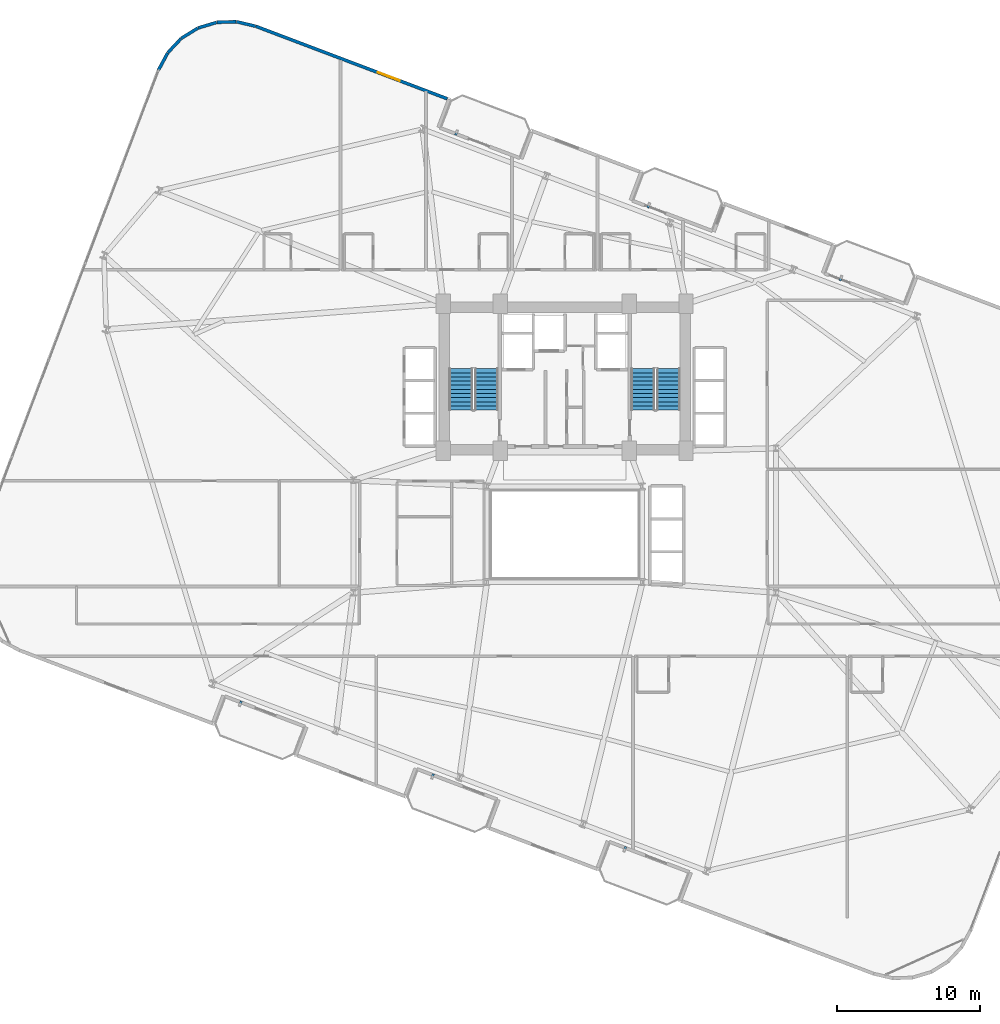
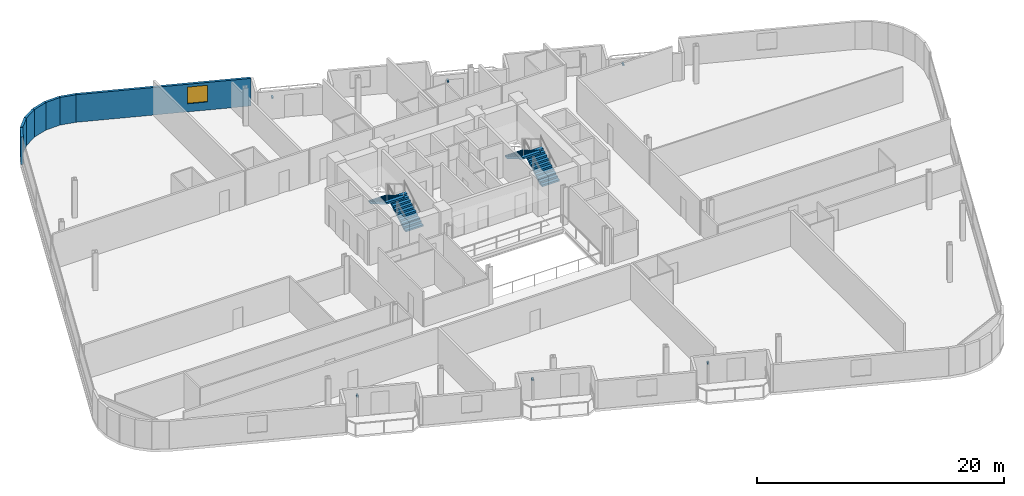
# One storey, part 22 of 25: 7 walls, 6 discrete accessories, 4 stair flights, 1 window, 1 opening, 2 elements without a shape of their own.
"""IFC4 building model written with IfcOpenShell, lengths in metres."""

from ifc_helpers import new_model, si_unit, direction, frame, frame_2d, origin, origin_2d, place, context, subcontext, project, spatial, polyline, rectangle, outline, extrude, source, transform, mapped, material, layer, layer_set, type_object, element, fill, aggregate, save


model = new_model("IFC4")

# Units and contexts
model_context = context("Model", 3, precision=1e-05, world=origin(), true_north=direction((0.0, 1.0)))
body_context = subcontext(model_context, "Body", "Model", "MODEL_VIEW")
ifc_project = project(units=[si_unit("LENGTHUNIT", "METRE"), si_unit("AREAUNIT", "SQUARE_METRE"), si_unit("VOLUMEUNIT", "CUBIC_METRE"), si_unit("PLANEANGLEUNIT", "RADIAN"), si_unit("MASSUNIT", "GRAM", prefix="KILO")], contexts=[model_context])

# Site, building, storey
site_placement = place(None, origin())
site = spatial("IfcSite", under=ifc_project, at=site_placement, CompositionType="ELEMENT")
building_placement = place(site_placement, origin())
building = spatial("IfcBuilding", under=site, at=building_placement, Name="Varnelok Gate Tower", CompositionType="ELEMENT")
storey_placement = place(building_placement, frame((0.0, 0.0, 91.0)))
storey = spatial("IfcBuildingStorey", under=building, at=storey_placement, Name="L22", CompositionType="ELEMENT", Elevation=91.0)

# Wall, opening, window
ifc_material_1 = material(Name="Concrete C45/55", Category="concrete")
ifc_layer = layer(ifc_material_1, 0.219970703125)
ifc_layer_set = layer_set([ifc_layer], Name="Concrete C45/55")
wall_type = type_object("IfcWallType", Name="EW-BALC-220", PredefinedType="SOLIDWALL", material=ifc_layer_set)
wall_1_placement = place(storey_placement, frame((30.97607421875, 53.412841796875, 0.0), z_axis=(0.0, 0.0, 1.0), x_axis=(-0.935220327379, 0.354066292178, 0.0)))
wall_1 = element("IfcWall", 1, at=wall_1_placement, inside=storey, type_object=wall_type, Name="L22 Perimeter Facade Closure Wall 38", PredefinedType="SOLIDWALL", context=body_context, shape_type="SweptSolid", body=[
    extrude(rectangle(XDim=14.34716796875, YDim=0.219970703125, at=frame_2d((7.173583984375, 0.0))), origin(), (0.0, 0.0, 1.0), 2.72998046875),
])
opening_placement = place(wall_1_placement, frame((3.55517578125, 0.0, 0.800048828125)))
opening = element("IfcOpeningElement", 2, at=opening_placement, cuts=wall_1, Name="Opening WN3", PredefinedType="OPENING", context=body_context, shape_type="SweptSolid", body=[
    extrude(rectangle(XDim=1.64990234375, YDim=1.64990234375, at=frame_2d((0.824951171875, 0.824951171875))), frame((0.0, 0.119873046875, 0.0), z_axis=(0.0, -1.0, 0.0), x_axis=(1.0, 0.0, 0.0)), (0.0, 0.0, 1.0), 0.239990234375),
])
ifc_material_2 = material(Name="Low-E Laminated Double Glazing IGU", Category="glass")
window_type = type_object("IfcWindowType", Name="WN-HTL-1650", PartitioningType="SINGLE_PANEL", PredefinedType="WINDOW", material=ifc_material_2)
window_placement = place(opening_placement, origin())
window = element("IfcWindow", 3, at=window_placement, inside=storey, type_object=window_type, Name="L22 Perimeter Vision Window 38", OverallHeight=1.64990234375, OverallWidth=1.64990234375, PartitioningType="SINGLE_PANEL", PredefinedType="WINDOW", context=body_context, shape_type="SweptSolid", body=[
    extrude(rectangle(XDim=1.64990234375, YDim=1.64990234375, at=frame_2d((0.824951171875, 0.824951171875))), frame((0.0, 0.030029296875, 0.0), z_axis=(0.0, -1.0, 0.0), x_axis=(1.0, 0.0, 0.0)), (0.0, 0.0, 1.0), 0.06005859375),
])
fill(opening, window)

# Walls
wall_2_placement = place(storey_placement, frame((17.533935546875, 58.498291015625, 0.0), z_axis=(0.0, 0.0, 1.0), x_axis=(-0.973414815952, 0.229049331117, 0.0)))
element("IfcWall", 4, at=wall_2_placement, inside=storey, type_object=wall_type, Name="L22 Perimeter Facade Closure Wall 39", PredefinedType="SOLIDWALL", context=body_context, shape_type="SweptSolid", body=[
    extrude(rectangle(XDim=1.361083984375, YDim=0.219970703125, at=frame_2d((0.6806640625, 0.0))), origin(), (0.0, 0.0, 1.0), 2.72998046875),
])
wall_3_placement = place(storey_placement, frame((16.18408203125, 58.809326171875, 0.0), z_axis=(0.0, 0.0, 1.0), x_axis=(-0.999523971993, -0.03085173271, 0.0)))
element("IfcWall", 5, at=wall_3_placement, inside=storey, type_object=wall_type, Name="L22 Perimeter Facade Closure Wall 40", PredefinedType="SOLIDWALL", context=body_context, shape_type="SweptSolid", body=[
    extrude(rectangle(XDim=1.353271484375, YDim=0.219970703125, at=frame_2d((0.6767578125, 0.0))), origin(), (0.0, 0.0, 1.0), 2.72998046875),
])
for number, where, z_axis, x_axis, name in (
    (6, (14.8076171875, 58.76025390625, 0.0), (0.0, 0.0, 1.0), (-0.957532798303, -0.28832436625, 0.0), "L22 Perimeter Facade Closure Wall 41"),
    (7, (13.49072265625, 58.35693359375, 0.0), (0.0, 0.0, 1.0), (-0.850261301096, -0.526360826676, 0.0), "L22 Perimeter Facade Closure Wall 42"),
    (8, (12.3232421875, 57.62646484375, 0.0), (0.0, 0.0, 1.0), (-0.684936830459, -0.728602455583, 0.0), "L22 Perimeter Facade Closure Wall 43"),
    (9, (11.384521484375, 56.61865234375, 0.0), (0.0, 0.0, 1.0), (-0.473077364598, -0.881020889142, 0.0), "L22 Perimeter Facade Closure Wall 44"),
):
    element("IfcWall", number, at=place(storey_placement, frame(where, z_axis=z_axis, x_axis=x_axis)), inside=storey, type_object=wall_type, Name=name, PredefinedType="SOLIDWALL", context=body_context, shape_type="SweptSolid", body=[
        extrude(rectangle(XDim=1.35302734375, YDim=0.219970703125, at=frame_2d((0.676513671875, 0.0))), origin(), (0.0, 0.0, 1.0), 2.72998046875),
    ])

# Stair, stair flights
ifc_material_3 = material(Name="Concrete C50/60", Category="concrete")
stair_type = type_object("IfcStairType", Name="STR-CORE-1650", PredefinedType="HALF_TURN_STAIR", material=ifc_material_3)
stair_1_placement = place(storey_placement, origin())
stair_1 = element("IfcStair", 10, at=stair_1_placement, inside=storey, type_object=stair_type, Name="L22 Exit Stair ST-1", PredefinedType="HALF_TURN_STAIR")
stair_flight_type = type_object("IfcStairFlightType", Name="SFL-CORE-1650", PredefinedType="STRAIGHT", material=ifc_material_3)
stair_flight_1_placement = place(storey_placement, frame((33.72509765625, 31.60009765625, 0.0), z_axis=(0.0, 0.0, 1.0), x_axis=(0.0, 1.0, 0.0)))
stair_flight_1 = element("IfcStairFlight", 11, at=stair_flight_1_placement, type_object=stair_flight_type, Name="ST-1 flight 1", NumberOfRisers=11, NumberOfTreads=10, PredefinedType="STRAIGHT", RiserHeight=0.168181818, TreadLength=0.29, context=body_context, shape_type="SweptSolid", body=[
    extrude(outline(polyline([(0.0, 0.0), (0.0, 0.168212890625), (0.2900390625, 0.168212890625), (0.2900390625, 0.33642578125), (0.580078125, 0.33642578125), (0.580078125, 0.504638671875), (0.8701171875, 0.504638671875), (0.8701171875, 0.672607421875), (1.159912109375, 0.672607421875), (1.159912109375, 0.8408203125), (1.449951171875, 0.8408203125), (1.449951171875, 1.009033203125), (1.739990234375, 1.009033203125), (1.739990234375, 1.17724609375), (2.030029296875, 1.17724609375), (2.030029296875, 1.345458984375), (2.320068359375, 1.345458984375), (2.320068359375, 1.513671875), (2.610107421875, 1.513671875), (2.610107421875, 1.681884765625), (2.89990234375, 1.681884765625), (2.89990234375, 1.85009765625), (2.89990234375, 1.508544921875), (0.298828125, 0.0), (0.0, 0.0)])), frame((0.0, 0.824951171875, 0.0), z_axis=(0.0, -1.0, 0.0), x_axis=(1.0, 0.0, 0.0)), (0.0, 0.0, 1.0), 1.64990234375),
])
stair_flight_2_placement = place(storey_placement, frame((31.925048828125, 34.5, 1.85009765625), z_axis=(0.0, 0.0, 1.0), x_axis=(0.0, -1.0, 0.0)))
stair_flight_2 = element("IfcStairFlight", 12, at=stair_flight_2_placement, type_object=stair_flight_type, Name="ST-1 flight 2", NumberOfRisers=11, NumberOfTreads=10, PredefinedType="STRAIGHT", RiserHeight=0.168181818, TreadLength=0.29, context=body_context, shape_type="SweptSolid", body=[
    extrude(outline(polyline([(0.0, 0.0), (0.0, 0.168212890625), (0.2900390625, 0.168212890625), (0.2900390625, 0.33642578125), (0.580078125, 0.33642578125), (0.580078125, 0.504638671875), (0.8701171875, 0.504638671875), (0.8701171875, 0.672607421875), (1.159912109375, 0.672607421875), (1.159912109375, 0.8408203125), (1.449951171875, 0.8408203125), (1.449951171875, 1.009033203125), (1.739990234375, 1.009033203125), (1.739990234375, 1.17724609375), (2.030029296875, 1.17724609375), (2.030029296875, 1.345458984375), (2.320068359375, 1.345458984375), (2.320068359375, 1.513671875), (2.610107421875, 1.513671875), (2.610107421875, 1.681884765625), (2.89990234375, 1.681884765625), (2.89990234375, 1.85009765625), (2.89990234375, 1.508544921875), (0.298828125, 0.0), (0.0, 0.0)])), frame((0.0, 0.824951171875, 0.0), z_axis=(0.0, -1.0, 0.0), x_axis=(1.0, 0.0, 0.0)), (0.0, 0.0, 1.0), 1.64990234375),
])
aggregate(stair_1, [stair_flight_1, stair_flight_2])

stair_2_placement = place(storey_placement, origin())
stair_2 = element("IfcStair", 13, at=stair_2_placement, inside=storey, type_object=stair_type, Name="L22 Exit Stair ST-2", PredefinedType="HALF_TURN_STAIR")
stair_flight_3_placement = place(storey_placement, frame((46.47509765625, 31.60009765625, 0.0), z_axis=(0.0, 0.0, 1.0), x_axis=(0.0, 1.0, 0.0)))
stair_flight_3 = element("IfcStairFlight", 14, at=stair_flight_3_placement, type_object=stair_flight_type, Name="ST-2 flight 1", NumberOfRisers=11, NumberOfTreads=10, PredefinedType="STRAIGHT", RiserHeight=0.168181818, TreadLength=0.29, context=body_context, shape_type="SweptSolid", body=[
    extrude(outline(polyline([(0.0, 0.0), (0.0, 0.168212890625), (0.2900390625, 0.168212890625), (0.2900390625, 0.33642578125), (0.580078125, 0.33642578125), (0.580078125, 0.504638671875), (0.8701171875, 0.504638671875), (0.8701171875, 0.672607421875), (1.159912109375, 0.672607421875), (1.159912109375, 0.8408203125), (1.449951171875, 0.8408203125), (1.449951171875, 1.009033203125), (1.739990234375, 1.009033203125), (1.739990234375, 1.17724609375), (2.030029296875, 1.17724609375), (2.030029296875, 1.345458984375), (2.320068359375, 1.345458984375), (2.320068359375, 1.513671875), (2.610107421875, 1.513671875), (2.610107421875, 1.681884765625), (2.89990234375, 1.681884765625), (2.89990234375, 1.85009765625), (2.89990234375, 1.508544921875), (0.298828125, 0.0), (0.0, 0.0)])), frame((0.0, 0.824951171875, 0.0), z_axis=(0.0, -1.0, 0.0), x_axis=(1.0, 0.0, 0.0)), (0.0, 0.0, 1.0), 1.64990234375),
])
stair_flight_4_placement = place(storey_placement, frame((44.675048828125, 34.5, 1.85009765625), z_axis=(0.0, 0.0, 1.0), x_axis=(0.0, -1.0, 0.0)))
stair_flight_4 = element("IfcStairFlight", 15, at=stair_flight_4_placement, type_object=stair_flight_type, Name="ST-2 flight 2", NumberOfRisers=11, NumberOfTreads=10, PredefinedType="STRAIGHT", RiserHeight=0.168181818, TreadLength=0.29, context=body_context, shape_type="SweptSolid", body=[
    extrude(outline(polyline([(0.0, 0.0), (0.0, 0.168212890625), (0.2900390625, 0.168212890625), (0.2900390625, 0.33642578125), (0.580078125, 0.33642578125), (0.580078125, 0.504638671875), (0.8701171875, 0.504638671875), (0.8701171875, 0.672607421875), (1.159912109375, 0.672607421875), (1.159912109375, 0.8408203125), (1.449951171875, 0.8408203125), (1.449951171875, 1.009033203125), (1.739990234375, 1.009033203125), (1.739990234375, 1.17724609375), (2.030029296875, 1.17724609375), (2.030029296875, 1.345458984375), (2.320068359375, 1.345458984375), (2.320068359375, 1.513671875), (2.610107421875, 1.513671875), (2.610107421875, 1.681884765625), (2.89990234375, 1.681884765625), (2.89990234375, 1.85009765625), (2.89990234375, 1.508544921875), (0.298828125, 0.0), (0.0, 0.0)])), frame((0.0, 0.824951171875, 0.0), z_axis=(0.0, -1.0, 0.0), x_axis=(1.0, 0.0, 0.0)), (0.0, 0.0, 1.0), 1.64990234375),
])
aggregate(stair_2, [stair_flight_3, stair_flight_4])

# Discrete accessories
ifc_material_4 = material(Name="Structural Steel ASTM A500 Grade C", Category="steel")
discrete_accessory_type = type_object("IfcDiscreteAccessoryType", Name="ACC-BAGUETTE-BRK", PredefinedType="BRACKET", material=ifc_material_4)
shared_shape = source(origin(), body_context, "Body", "SweptSolid", [
    extrude(rectangle(XDim=0.159912109375, YDim=0.340087890625, at=origin_2d()), origin(), (0.0, 0.0, 1.0), 0.139892578125),
])
for number, where, z_axis, x_axis, name in (
    (16, (16.483154296875, 11.050048828125, 1.97998046875), (0.0, 0.0, 1.0), (0.935221751401, -0.354062530786, 0.0), "L22 Terracotta Baguette Bracket 1.1"),
    (17, (29.9501953125, 5.95166015625, 1.97998046875), (0.0, 0.0, 1.0), (0.935221751401, -0.354062530786, 0.0), "L22 Terracotta Baguette Bracket 2.1"),
    (18, (43.41748046875, 0.85302734375, 1.97998046875), (0.0, 0.0, 1.0), (0.935221751401, -0.354062530786, 0.0), "L22 Terracotta Baguette Bracket 3.1"),
    (19, (31.61572265625, 51.021484375, 1.97998046875), (0.0, 0.0, 1.0), (0.935221751401, -0.354062530786, 0.0), "L22 Terracotta Baguette Bracket 4.1"),
    (20, (45.0830078125, 45.923095703125, 1.97998046875), (0.0, 0.0, 1.0), (0.935221751401, -0.354062530786, 0.0), "L22 Terracotta Baguette Bracket 5.1"),
    (21, (58.550048828125, 40.824462890625, 1.97998046875), (0.0, 0.0, 1.0), (0.935221751401, -0.354062530786, 0.0), "L22 Terracotta Baguette Bracket 6.1"),
):
    element("IfcDiscreteAccessory", number, at=place(storey_placement, frame(where, z_axis=z_axis, x_axis=x_axis)), inside=storey, type_object=discrete_accessory_type, Name=name, PredefinedType="BRACKET", context=body_context, shape_type="MappedRepresentation", body=[
        mapped(shared_shape, transform((0.0, 0.0, 0.0), scale=1.0)),
    ])

save(model, "model.ifc")
